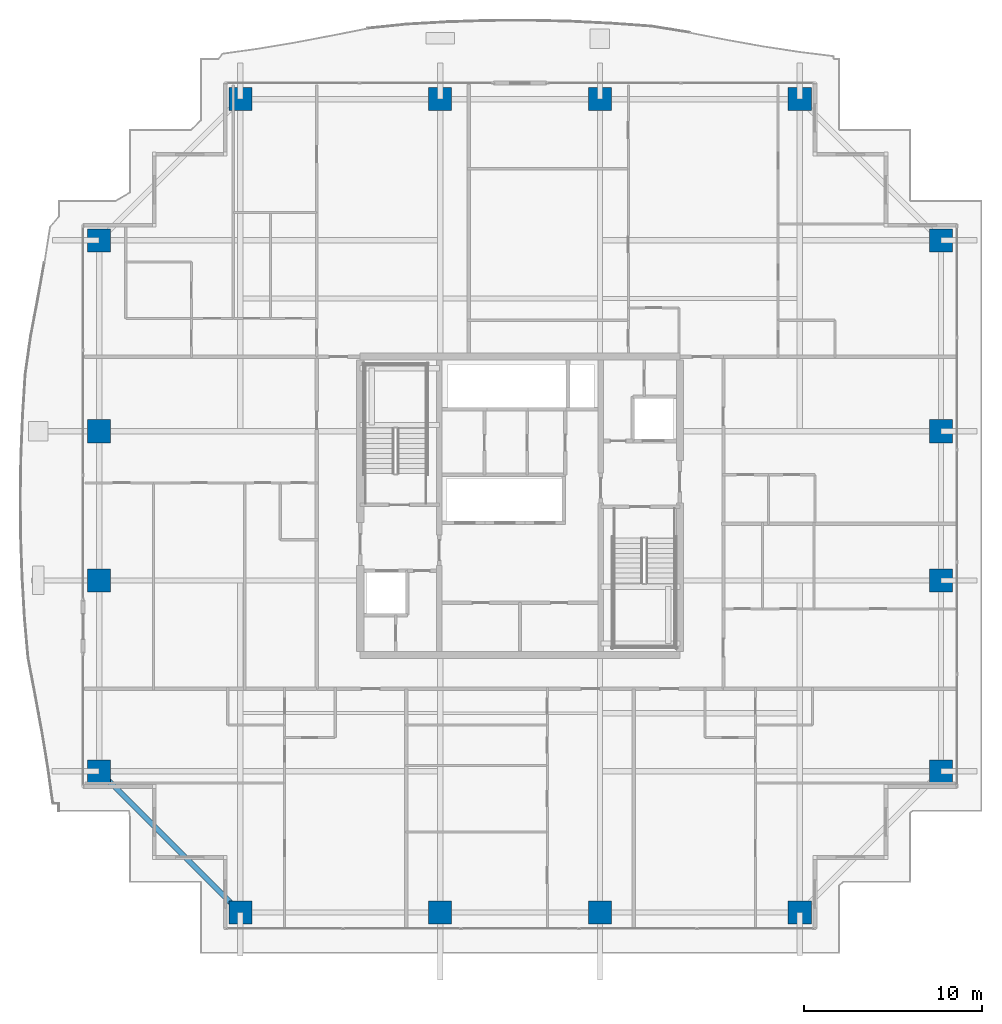
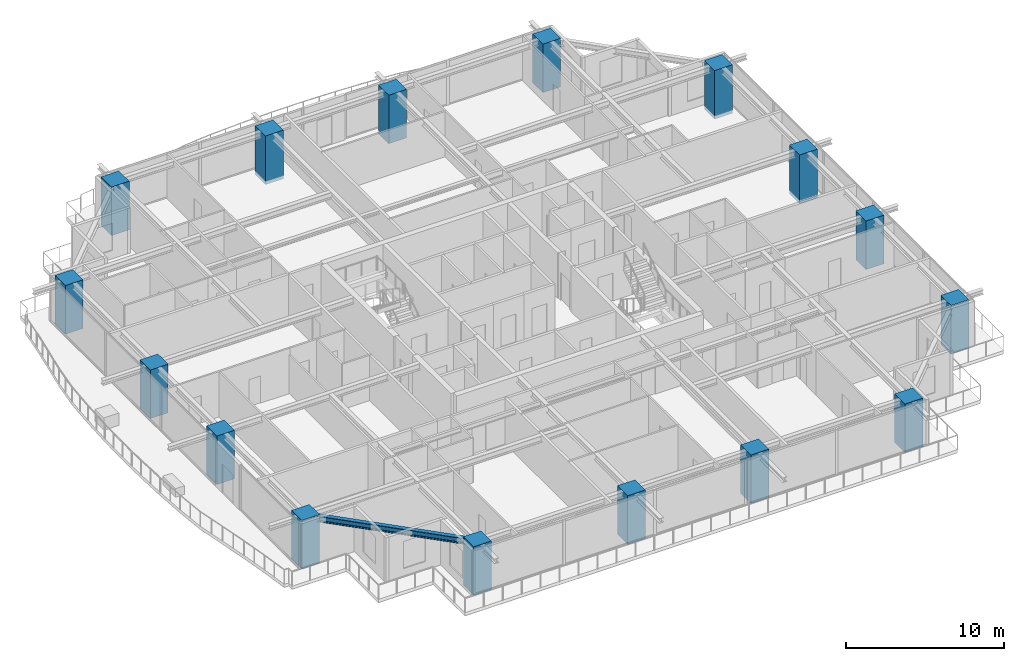
# One storey, part 1 of 37: 16 columns, 1 beam.
"""IFC4 building model written with IfcOpenShell, lengths in metres."""

from ifc_helpers import new_model, si_unit, direction, frame, origin, origin_2d, place, context, subcontext, project, spatial, rectangle, i_section, extrude, source, transform, mapped, material, material_profile, profile_set, type_object, element, save


model = new_model("IFC4")

# Units and contexts
model_context = context("Model", 3, precision=1e-05, world=origin(), true_north=direction((0.0, 1.0)))
body_context = subcontext(model_context, "Body", "Model", "MODEL_VIEW")
ifc_project = project(units=[si_unit("LENGTHUNIT", "METRE"), si_unit("AREAUNIT", "SQUARE_METRE"), si_unit("VOLUMEUNIT", "CUBIC_METRE"), si_unit("PLANEANGLEUNIT", "RADIAN"), si_unit("MASSUNIT", "GRAM", prefix="KILO")], contexts=[model_context])

# Site, building, storey
site_placement = place(None, origin())
site = spatial("IfcSite", under=ifc_project, at=site_placement, CompositionType="ELEMENT")
building_placement = place(site_placement, origin())
building = spatial("IfcBuilding", under=site, at=building_placement, Name="Serunith Strait Residences", CompositionType="ELEMENT")
storey_placement = place(building_placement, frame((0.0, 0.0, 138.89990234375)))
storey = spatial("IfcBuildingStorey", under=building, at=storey_placement, Name="L34", CompositionType="ELEMENT", Elevation=138.89990234375)

# Columns
ifc_material_1 = material(Name="Concrete C80/95", Category="concrete")
ifc_material_profile_1 = material_profile(ifc_material_1, rectangle(XDim=1.300048828125, YDim=1.300048828125, at=origin_2d()), Name="RC 1300x1300")
ifc_profile_set_1 = profile_set([ifc_material_profile_1], Name="Concrete C80/95")
column_type = type_object("IfcColumnType", Name="COL-RC-1300", PredefinedType="COLUMN", material=ifc_profile_set_1)
shared_shape_1 = source(origin(), body_context, "Body", "SweptSolid", [
    extrude(rectangle(XDim=1.300048828125, YDim=1.300048828125, at=origin_2d()), origin(), (0.0, 0.0, 1.0), 3.75),
])
for number, where, z_axis, x_axis, name in (
    (1, (16.64990234375, 2.300048828125, -0.260009765625), (0.0, 0.0, 1.0), (1.0, 0.0, 0.0), "L34 Tower Mega-Column TC-S1"),
    (2, (27.89990234375, 2.300048828125, -0.260009765625), (0.0, 0.0, 1.0), (1.0, 0.0, 0.0), "L34 Tower Mega-Column TC-S2"),
    (3, (36.89990234375, 2.300048828125, -0.260009765625), (0.0, 0.0, 1.0), (1.0, 0.0, 0.0), "L34 Tower Mega-Column TC-S3"),
    (4, (48.14990234375, 2.300048828125, -0.260009765625), (0.0, 0.0, 1.0), (1.0, 0.0, 0.0), "L34 Tower Mega-Column TC-S4"),
    (5, (16.64990234375, 48.10009765625, -0.260009765625), (0.0, 0.0, 1.0), (1.0, 0.0, 0.0), "L34 Tower Mega-Column TC-N1"),
    (6, (27.89990234375, 48.10009765625, -0.260009765625), (0.0, 0.0, 1.0), (1.0, 0.0, 0.0), "L34 Tower Mega-Column TC-N2"),
    (7, (36.89990234375, 48.10009765625, -0.260009765625), (0.0, 0.0, 1.0), (1.0, 0.0, 0.0), "L34 Tower Mega-Column TC-N3"),
    (8, (48.14990234375, 48.10009765625, -0.260009765625), (0.0, 0.0, 1.0), (1.0, 0.0, 0.0), "L34 Tower Mega-Column TC-N4"),
    (9, (56.10009765625, 10.25, -0.260009765625), (0.0, 0.0, 1.0), (1.0, 0.0, 0.0), "L34 Tower Mega-Column TC-E1"),
    (10, (56.10009765625, 21.0, -0.260009765625), (0.0, 0.0, 1.0), (1.0, 0.0, 0.0), "L34 Tower Mega-Column TC-E2"),
    (11, (56.10009765625, 29.39990234375, -0.260009765625), (0.0, 0.0, 1.0), (1.0, 0.0, 0.0), "L34 Tower Mega-Column TC-E3"),
    (12, (56.10009765625, 40.14990234375, -0.260009765625), (0.0, 0.0, 1.0), (1.0, 0.0, 0.0), "L34 Tower Mega-Column TC-E4"),
    (13, (8.699951171875, 10.25, -0.260009765625), (0.0, 0.0, 1.0), (1.0, 0.0, 0.0), "L34 Tower Mega-Column TC-W1"),
    (14, (8.699951171875, 21.0, -0.260009765625), (0.0, 0.0, 1.0), (1.0, 0.0, 0.0), "L34 Tower Mega-Column TC-W2"),
    (15, (8.699951171875, 29.39990234375, -0.260009765625), (0.0, 0.0, 1.0), (1.0, 0.0, 0.0), "L34 Tower Mega-Column TC-W3"),
    (16, (8.699951171875, 40.14990234375, -0.260009765625), (0.0, 0.0, 1.0), (1.0, 0.0, 0.0), "L34 Tower Mega-Column TC-W4"),
):
    element("IfcColumn", number, at=place(storey_placement, frame(where, z_axis=z_axis, x_axis=x_axis)), inside=storey, type_object=column_type, Name=name, PredefinedType="COLUMN", context=body_context, shape_type="MappedRepresentation", body=[
        mapped(shared_shape_1, transform((0.0, 0.0, 0.0), scale=1.0)),
    ])

# Beam
ifc_material_2 = material(Name="Steel S355J2", Category="steel")
ifc_material_profile_2 = material_profile(ifc_material_2, i_section(OverallWidth=0.300048828125, OverallDepth=0.449951171875, WebThickness=0.013916015625, FlangeThickness=0.02587890625, FilletRadius=0.027099609375, at=origin_2d()), Name="HEB 450")
ifc_profile_set_2 = profile_set([ifc_material_profile_2], Name="Steel S355J2")
beam_type = type_object("IfcBeamType", Name="BM-HEB450", PredefinedType="BEAM", material=ifc_profile_set_2)
shared_shape_2 = source(origin(), body_context, "Body", "SweptSolid", [
    extrude(i_section(OverallWidth=0.300048828125, OverallDepth=0.449951171875, WebThickness=0.013916015625, FlangeThickness=0.02587890625, FilletRadius=0.027099609375, at=origin_2d()), origin(), (0.0, 0.0, 1.0), 11.242919921875),
])
beam_placement = place(storey_placement, frame((8.699951171875, 10.25, 3.232177734375), z_axis=(0.707106781187, -0.707106781187, 0.0), x_axis=(0.707106781187, 0.707106781187, 0.0)))
element("IfcBeam", 17, at=beam_placement, inside=storey, type_object=beam_type, Name="L34 Perimeter Ring Beam 16", PredefinedType="BEAM", context=body_context, shape_type="MappedRepresentation", body=[
    mapped(shared_shape_2, transform((0.0, 0.0, 0.0), scale=1.0)),
])

save(model, "model.ifc")
